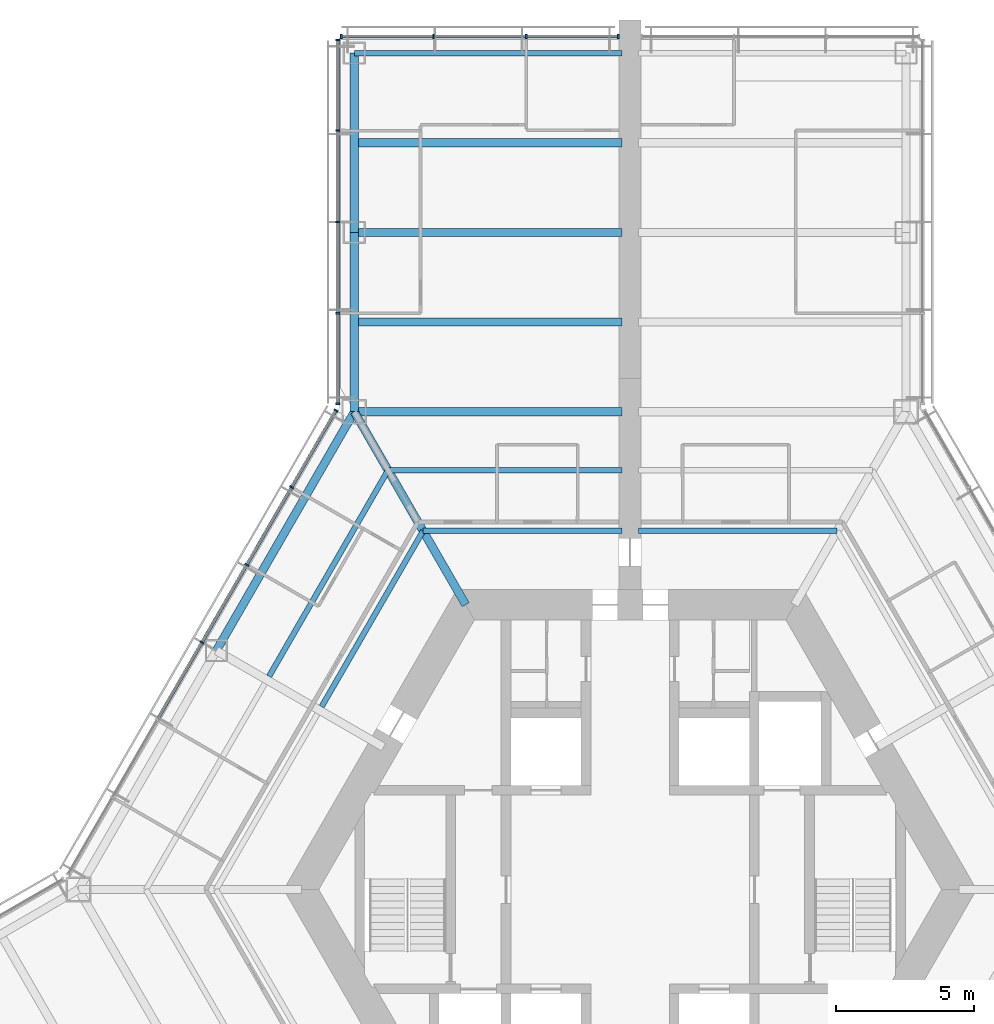
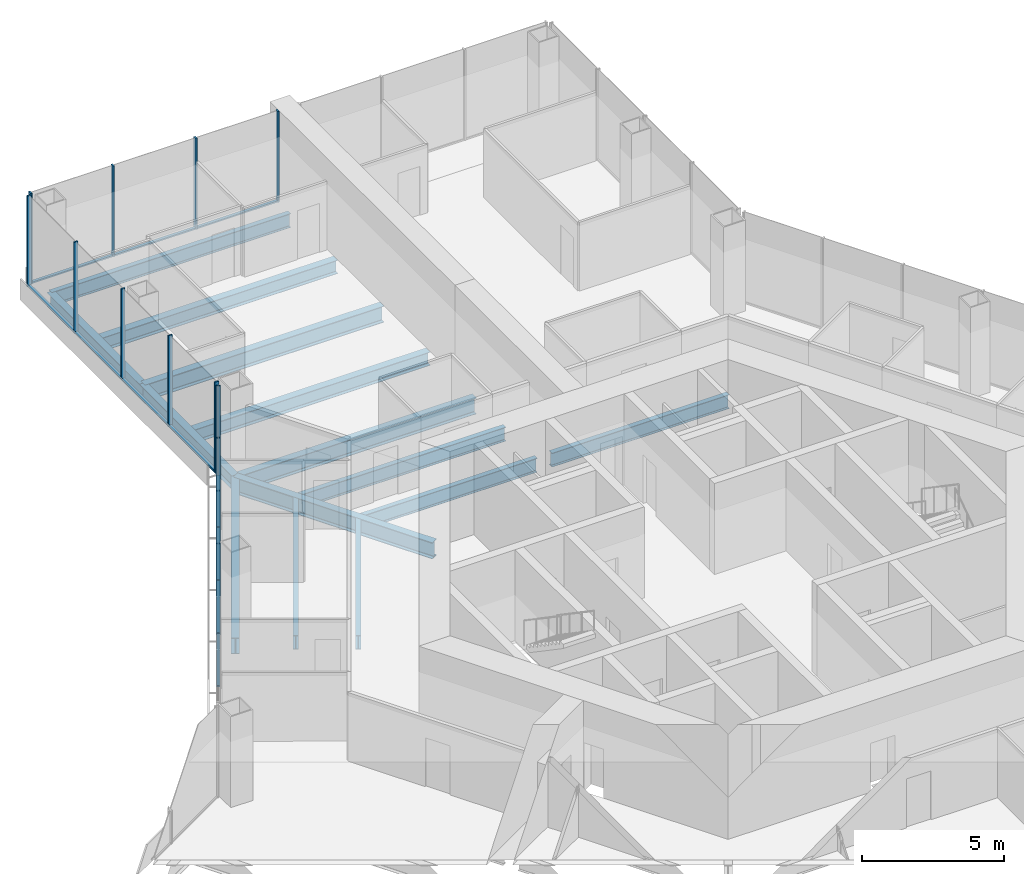
# One storey, part 7 of 19: 24 members, 14 beams, 3 elements without a shape of their own.
"""IFC4 building model written with IfcOpenShell, lengths in metres."""

import ifcopenshell
import ifcopenshell.guid

model = None  # the IFC model being written
_history = None  # IfcOwnerHistory: only IFC2X3 demands one
_inside = {}  # id of a spatial element -> (the spatial element, [elements in it])
_under = {}  # id of a project, library or spatial element -> (it, [spatial elements below it])
_declared = {}  # id of a project -> (the project, [libraries it declares])
_typed = {}  # id of a type object -> (the type object, [elements of that type])
_made_of = {}  # id of a material, layer set ... -> (it, [elements and type objects made of it])


def new_model(schema):
    """Start an empty IFC model of exactly this schema.

    Asked for "IFC4X3", IfcOpenShell would pick the latest addendum, in which some entities
    have other attributes; the version numbers below select the first issue.
    IFC2X3 requires an IfcOwnerHistory on every rooted entity: one is made here for all.
    """
    global model, _history
    if schema == "IFC4X3":
        model = ifcopenshell.file(schema_version=(4, 3, 0, 0))
    else:
        model = ifcopenshell.file(schema=schema)
    _inside.clear()
    _under.clear()
    _declared.clear()
    _typed.clear()
    _made_of.clear()
    _history = None
    if model.schema == "IFC2X3":
        org = make("IfcOrganization", Name="unknown")
        user = make(
            "IfcPersonAndOrganization",
            ThePerson=make("IfcPerson", FamilyName="unknown"),
            TheOrganization=org,
        )
        app = make(
            "IfcApplication",
            ApplicationDeveloper=org,
            Version="unknown",
            ApplicationFullName="unknown",
            ApplicationIdentifier="unknown",
        )
        _history = make(
            "IfcOwnerHistory",
            OwningUser=user,
            OwningApplication=app,
            ChangeAction="ADDED",
            CreationDate=0,
        )
    return model


def make(cls, **values):
    """One entity of the class cls with the attributes given. An attribute that is None is left unset."""
    return model.create_entity(
        cls, **{name: value for name, value in values.items() if value is not None}
    )


def rooted(cls, **values):
    """An entity with a GlobalId (a new one), such as an element, a storey or a relation."""
    return make(cls, GlobalId=ifcopenshell.guid.new(), OwnerHistory=_history, **values)


def si_unit(unit_type, name, prefix=None):
    """IfcSIUnit, for example si_unit("LENGTHUNIT", "METRE", prefix="MILLI")."""
    return make("IfcSIUnit", UnitType=unit_type, Prefix=prefix, Name=name)


def assignment(units):
    """IfcUnitAssignment: the units of a project."""
    return None if units is None else make("IfcUnitAssignment", Units=units)


def point(xyz):
    """IfcCartesianPoint."""
    return None if xyz is None else make("IfcCartesianPoint", Coordinates=xyz)


def direction(xyz):
    """IfcDirection."""
    return None if xyz is None else make("IfcDirection", DirectionRatios=xyz)


def frame(location, z_axis=None, x_axis=None):
    """IfcAxis2Placement3D, a coordinate frame: its origin and axes. An axis left out is left unset."""
    return make(
        "IfcAxis2Placement3D",
        Location=point(location),
        Axis=direction(z_axis),
        RefDirection=direction(x_axis),
    )


def frame_2d(location, x_axis=None):
    """IfcAxis2Placement2D, a coordinate frame in the plane: its origin and x axis."""
    return make(
        "IfcAxis2Placement2D", Location=point(location), RefDirection=direction(x_axis)
    )


def origin():
    """The frame at (0, 0, 0) with its axes left unset."""
    return frame((0.0, 0.0, 0.0))


def origin_2d():
    """The frame at (0, 0) in the plane with its x axis left unset."""
    return frame_2d((0.0, 0.0))


def place(relative_to, where):
    """IfcLocalPlacement: puts the frame where relative to a parent placement (None: the world)."""
    return make(
        "IfcLocalPlacement", PlacementRelTo=relative_to, RelativePlacement=where
    )


def context(
    kind, dimensions, precision=None, world=None, true_north=None, identifier=None
):
    """IfcGeometricRepresentationContext, for example the 3D "Model" context."""
    return make(
        "IfcGeometricRepresentationContext",
        ContextIdentifier=identifier,
        ContextType=kind,
        CoordinateSpaceDimension=dimensions,
        Precision=precision,
        WorldCoordinateSystem=world,
        TrueNorth=true_north,
    )


def subcontext(parent, identifier, kind, view, scale=None):
    """IfcGeometricRepresentationSubContext, for example "Body" below "Model"."""
    return make(
        "IfcGeometricRepresentationSubContext",
        ContextIdentifier=identifier,
        ContextType=kind,
        ParentContext=parent,
        TargetScale=scale,
        TargetView=view,
    )


def project(units=None, contexts=None):
    """IfcProject with its units and contexts."""
    return rooted(
        "IfcProject",
        Name="project",
        RepresentationContexts=contexts,
        UnitsInContext=assignment(units),
    )


def spatial(cls, under=None, at=None, **own):
    """A site, building, storey or space (cls), placed at a placement, below another one or the project."""
    s = rooted(cls, ObjectPlacement=at, **own)
    if under is not None:
        _under.setdefault(under.id(), (under, []))[1].append(s)
    return s


def profile(cls, at=None, kind="AREA", **sizes):
    """A parametric profile (cls). Its sizes go by their IFC names, for example OverallWidth=200.0."""
    return make(cls, ProfileType=kind, Position=at, **sizes)


def rectangle(**sizes):
    """IfcRectangleProfileDef."""
    return profile("IfcRectangleProfileDef", **sizes)


def i_section(**sizes):
    """IfcIShapeProfileDef."""
    return profile("IfcIShapeProfileDef", **sizes)


def extrude(swept, where, along, depth):
    """IfcExtrudedAreaSolid: the profile swept, set in the frame where, extruded along a direction by depth."""
    return make(
        "IfcExtrudedAreaSolid",
        SweptArea=swept,
        Position=where,
        ExtrudedDirection=direction(along),
        Depth=depth,
    )


def shape(context_of_items, identifier, shape_type, items):
    """IfcShapeRepresentation: the items that make up one representation, for example the "Body"."""
    return make(
        "IfcShapeRepresentation",
        ContextOfItems=context_of_items,
        RepresentationIdentifier=identifier,
        RepresentationType=shape_type,
        Items=items,
    )


def material(Name=None, Category=None):
    """IfcMaterial."""
    return make("IfcMaterial", Name=Name, Category=Category)


def material_profile(
    of_material, cross_section, Name=None, Category=None, Priority=None
):
    """IfcMaterialProfile: a cross section and its material."""
    return make(
        "IfcMaterialProfile",
        Name=Name,
        Material=of_material,
        Profile=cross_section,
        Priority=Priority,
        Category=Category,
    )


def profile_set(profiles, Name=None, composite=None):
    """IfcMaterialProfileSet."""
    return make(
        "IfcMaterialProfileSet",
        Name=Name,
        MaterialProfiles=profiles,
        CompositeProfile=composite,
    )


def made_of(thing, what):
    """Note that an element or type object is made of a material, layer set ...; save() writes the relation."""
    if what is not None:
        _made_of.setdefault(what.id(), (what, []))[1].append(thing)
    return thing


def type_object(cls, material=None, **own):
    """A type object (cls), such as IfcWallType, which elements share."""
    return made_of(rooted(cls, **own), material)


def element(
    cls,
    number,
    at=None,
    inside=None,
    cuts=None,
    type_object=None,
    material=None,
    context=None,
    identifier="Body",
    shape_type=None,
    held_by="IfcProductDefinitionShape",
    body=None,
    shapes=None,
    **own,
):
    """One element of the class cls, such as IfcWall. Its Tag is "e" and its number.

    at: its placement. inside: the storey or other place that contains it. cuts: it is an
    opening in that element (IfcRelVoidsElement). A single representation is given by context,
    identifier, shape_type and body (its items); several are given by shapes. held_by: the class
    of the entity that holds the representations. save() writes the other relations.
    """
    e = rooted(cls, Tag="e%d" % number, ObjectPlacement=at, **own)
    if body is not None:
        shapes = [shape(context, identifier, shape_type, body)]
    if shapes is not None:
        e.Representation = make(held_by, Representations=shapes)
    if inside is not None:
        _inside.setdefault(inside.id(), (inside, []))[1].append(e)
    if cuts is not None:
        rooted(
            "IfcRelVoidsElement", RelatingBuildingElement=cuts, RelatedOpeningElement=e
        )
    if type_object is not None:
        _typed.setdefault(type_object.id(), (type_object, []))[1].append(e)
    return made_of(e, material)


def aggregate(whole, parts):
    """IfcRelAggregates: a whole, such as a stair, and the parts it consists of."""
    return rooted("IfcRelAggregates", RelatingObject=whole, RelatedObjects=parts)


def save(model, path):
    """Write the relations noted so far, then the file.

    IfcRelAggregates (storeys below a building ...), IfcRelContainedInSpatialStructure (elements
    in a storey), IfcRelDefinesByType, IfcRelAssociatesMaterial and IfcRelDeclares: one each for
    every whole, place, type object, material and project.
    """
    for whole, parts in _under.values():
        aggregate(whole, parts)
    for where, things in _inside.values():
        rooted(
            "IfcRelContainedInSpatialStructure",
            RelatedElements=things,
            RelatingStructure=where,
        )
    for kind, things in _typed.values():
        rooted("IfcRelDefinesByType", RelatedObjects=things, RelatingType=kind)
    for what, things in _made_of.values():
        rooted("IfcRelAssociatesMaterial", RelatedObjects=things, RelatingMaterial=what)
    for by, libraries in _declared.values():
        rooted("IfcRelDeclares", RelatingContext=by, RelatedDefinitions=libraries)
    model.write(path)


model = new_model("IFC4")

# Units and contexts
model_context = context("Model", 3, precision=1e-05, world=origin(), true_north=direction((0.0, 1.0)))
body_context = subcontext(model_context, "Body", "Model", "MODEL_VIEW")
ifc_project = project(units=[si_unit("LENGTHUNIT", "METRE"), si_unit("AREAUNIT", "SQUARE_METRE"), si_unit("VOLUMEUNIT", "CUBIC_METRE"), si_unit("PLANEANGLEUNIT", "RADIAN"), si_unit("MASSUNIT", "GRAM", prefix="KILO")], contexts=[model_context])

# Site, building, storey
site_placement = place(None, origin())
site = spatial("IfcSite", under=ifc_project, at=site_placement, CompositionType="ELEMENT")
building_placement = place(site_placement, origin())
building = spatial("IfcBuilding", under=site, at=building_placement, Name="Kasaneha Research Tower", CompositionType="ELEMENT")
storey_placement = place(building_placement, frame((0.0, 0.0, 84.60009765625)))
storey = spatial("IfcBuildingStorey", under=building, at=storey_placement, Name="L21", CompositionType="ELEMENT", Elevation=84.60009765625)

# Beams
ifc_material_1 = material(Name="Steel SN490B", Category="steel")
ifc_material_profile_1 = material_profile(ifc_material_1, i_section(OverallWidth=0.199951171875, OverallDepth=0.60009765625, WebThickness=0.010986328125, FlangeThickness=0.01708984375, FilletRadius=0.012939453125, at=origin_2d()), Name="H-600x200x11x17")
ifc_profile_set_1 = profile_set([ifc_material_profile_1], Name="Steel SN490B")
beam_type_1 = type_object("IfcBeamType", Name="B1-3 secondary beam H-600x200x11x17", PredefinedType="JOIST", material=ifc_profile_set_1)
for number, where, z_axis, x_axis, name in (
    (1, (7.505615234375, 13.0, -0.4501953125), (-1.0, 0.0, 0.0), (0.0, -1.0, 0.0), "Secondary beam RS090L1 L21"),
    (2, (-7.505615234375, 13.0, -0.4501953125), (1.0, 0.0, 0.0), (0.0, 1.0, 0.0), "Secondary beam RS090R1 L21"),
):
    element("IfcBeam", number, at=place(storey_placement, frame(where, z_axis=z_axis, x_axis=x_axis)), inside=storey, type_object=beam_type_1, Name=name, PredefinedType="JOIST", context=body_context, shape_type="SweptSolid", body=[
        extrude(i_section(OverallWidth=0.199951171875, OverallDepth=0.60009765625, WebThickness=0.010986328125, FlangeThickness=0.01708984375, FilletRadius=0.012939453125, at=origin_2d()), origin(), (0.0, 0.0, 1.0), 7.20556640625),
    ])
beam_1_placement = place(storey_placement, frame((-8.775634765625, 15.199951171875, -0.4501953125), z_axis=(1.0, 0.0, 0.0), x_axis=(0.0, 1.0, 0.0)))
element("IfcBeam", 3, at=beam_1_placement, inside=storey, type_object=beam_type_1, Name="Secondary beam RS090R2 L21", PredefinedType="JOIST", context=body_context, shape_type="SweptSolid", body=[
    extrude(i_section(OverallWidth=0.199951171875, OverallDepth=0.60009765625, WebThickness=0.010986328125, FlangeThickness=0.01708984375, FilletRadius=0.012939453125, at=origin_2d()), origin(), (0.0, 0.0, 1.0), 8.4755859375),
])
beam_2_placement = place(storey_placement, frame((-7.505615234375, 13.0, -0.4501953125), z_axis=(-0.499994443168, -0.866028611999, 0.0), x_axis=(0.866028611999, -0.499994443168, 0.0)))
element("IfcBeam", 4, at=beam_2_placement, inside=storey, type_object=beam_type_1, Name="Secondary beam RS150L1 L21", PredefinedType="JOIST", context=body_context, shape_type="SweptSolid", body=[
    extrude(i_section(OverallWidth=0.199951171875, OverallDepth=0.60009765625, WebThickness=0.010986328125, FlangeThickness=0.01708984375, FilletRadius=0.012939453125, at=origin_2d()), origin(), (0.0, 0.0, 1.0), 7.35546875),
])
beam_3_placement = place(storey_placement, frame((-8.775634765625, 15.199951171875, -0.4501953125), z_axis=(-0.500017275495, -0.866015429543, 0.0), x_axis=(0.866015429543, -0.500017275495, 0.0)))
element("IfcBeam", 5, at=beam_3_placement, inside=storey, type_object=beam_type_1, Name="Secondary beam RS150L2 L21", PredefinedType="JOIST", context=body_context, shape_type="SweptSolid", body=[
    extrude(i_section(OverallWidth=0.199951171875, OverallDepth=0.60009765625, WebThickness=0.010986328125, FlangeThickness=0.01708984375, FilletRadius=0.012939453125, at=origin_2d()), origin(), (0.0, 0.0, 1.0), 8.625732421875),
])
ifc_material_2 = material(Name="Steel SN490B", Category="steel")
ifc_material_profile_2 = material_profile(ifc_material_2, i_section(OverallWidth=0.300048828125, OverallDepth=0.58203125, WebThickness=0.011962890625, FlangeThickness=0.01708984375, FilletRadius=0.012939453125, at=origin_2d()), Name="H-582x300x12x17")
ifc_profile_set_2 = profile_set([ifc_material_profile_2], Name="Steel SN490B")
beam_type_2 = type_object("IfcBeamType", Name="B2-3 secondary beam H-582x300x12x17", PredefinedType="JOIST", material=ifc_profile_set_2)
for number, where, z_axis, x_axis, name in (
    (6, (-10.0, 20.570556640625, -0.441162109375), (1.0, 0.0, 0.0), (0.0, 1.0, 0.0), "Secondary beam WBAN1 L21"),
    (7, (-10.0, 27.070556640625, -0.441162109375), (1.0, 0.0, 0.0), (0.0, 1.0, 0.0), "Secondary beam WBAN2 L21"),
):
    element("IfcBeam", number, at=place(storey_placement, frame(where, z_axis=z_axis, x_axis=x_axis)), inside=storey, type_object=beam_type_2, Name=name, PredefinedType="JOIST", context=body_context, shape_type="SweptSolid", body=[
        extrude(i_section(OverallWidth=0.300048828125, OverallDepth=0.58203125, WebThickness=0.011962890625, FlangeThickness=0.01708984375, FilletRadius=0.012939453125, at=origin_2d()), origin(), (0.0, 0.0, 1.0), 9.699951171875),
    ])

# Curtain wall, members
ifc_material_3 = material(Name="Glass and aluminium", Category="aluminium")
curtain_wall_type = type_object("IfcCurtainWallType", Name="Low-rise office curtain wall", PredefinedType="USERDEFINED", material=ifc_material_3)
curtain_wall_1_placement = place(storey_placement, origin())
curtain_wall_1 = element("IfcCurtainWall", 8, at=curtain_wall_1_placement, inside=storey, type_object=curtain_wall_type, Name="CW-O1 L21 run 10a", ObjectType="UNITISED CURTAIN WALL", PredefinedType="USERDEFINED")
ifc_material_4 = material(Name="Aluminium 6063-T6", Category="aluminium")
ifc_material_profile_3 = material_profile(ifc_material_4, rectangle(XDim=0.06005859375, YDim=0.159912109375, at=origin_2d()), Name="CW-O1 mullion 60x160")
ifc_profile_set_3 = profile_set([ifc_material_profile_3], Name="Aluminium 6063-T6")
member_type_1 = type_object("IfcMemberType", Name="CW-O1 mullion", PredefinedType="MULLION", material=ifc_profile_set_3)
member_1_placement = place(storey_placement, frame((-0.429931640625, 30.92041015625, 0.0), z_axis=(0.0, 0.0, 1.0), x_axis=(-1.0, 0.0, 0.0)))
member_1 = element("IfcMember", 9, at=member_1_placement, type_object=member_type_1, Name="CW-O1 mullion 1", PredefinedType="MULLION", context=body_context, shape_type="SweptSolid", body=[
    extrude(rectangle(XDim=0.06005859375, YDim=0.159912109375, at=origin_2d()), origin(), (0.0, 0.0, 1.0), 3.89990234375),
])
member_2_placement = place(storey_placement, frame((-3.7666015625, 30.92041015625, 0.0), z_axis=(0.0, 0.0, 1.0), x_axis=(-1.0, 0.0, 0.0)))
member_2 = element("IfcMember", 10, at=member_2_placement, type_object=member_type_1, Name="CW-O1 mullion 2", PredefinedType="MULLION", context=body_context, shape_type="SweptSolid", body=[
    extrude(rectangle(XDim=0.06005859375, YDim=0.159912109375, at=origin_2d()), origin(), (0.0, 0.0, 1.0), 3.89990234375),
])
member_3_placement = place(storey_placement, frame((-7.13330078125, 30.92041015625, 0.0), z_axis=(0.0, 0.0, 1.0), x_axis=(-1.0, 0.0, 0.0)))
member_3 = element("IfcMember", 11, at=member_3_placement, type_object=member_type_1, Name="CW-O1 mullion 3", PredefinedType="MULLION", context=body_context, shape_type="SweptSolid", body=[
    extrude(rectangle(XDim=0.06005859375, YDim=0.159912109375, at=origin_2d()), origin(), (0.0, 0.0, 1.0), 3.89990234375),
])
member_4_placement = place(storey_placement, frame((-10.469970703125, 30.92041015625, 0.0), z_axis=(0.0, 0.0, 1.0), x_axis=(-1.0, 0.0, 0.0)))
member_4 = element("IfcMember", 12, at=member_4_placement, type_object=member_type_1, Name="CW-O1 mullion 4", PredefinedType="MULLION", context=body_context, shape_type="SweptSolid", body=[
    extrude(rectangle(XDim=0.06005859375, YDim=0.159912109375, at=origin_2d()), origin(), (0.0, 0.0, 1.0), 3.89990234375),
])

curtain_wall_2_placement = place(storey_placement, origin())
curtain_wall_2 = element("IfcCurtainWall", 13, at=curtain_wall_2_placement, inside=storey, type_object=curtain_wall_type, Name="CW-O1 L21 run 11a", ObjectType="UNITISED CURTAIN WALL", PredefinedType="USERDEFINED")
member_5_placement = place(storey_placement, frame((-10.60009765625, 30.79052734375, 0.0), z_axis=(0.0, 0.0, 1.0), x_axis=(0.0, -1.0, 0.0)))
member_5 = element("IfcMember", 14, at=member_5_placement, type_object=member_type_1, Name="CW-O1 mullion 1", PredefinedType="MULLION", context=body_context, shape_type="SweptSolid", body=[
    extrude(rectangle(XDim=0.06005859375, YDim=0.159912109375, at=origin_2d()), origin(), (0.0, 0.0, 1.0), 3.89990234375),
])
member_6_placement = place(storey_placement, frame((-10.60009765625, 27.5107421875, 0.0), z_axis=(0.0, 0.0, 1.0), x_axis=(0.0, -1.0, 0.0)))
member_6 = element("IfcMember", 15, at=member_6_placement, type_object=member_type_1, Name="CW-O1 mullion 2", PredefinedType="MULLION", context=body_context, shape_type="SweptSolid", body=[
    extrude(rectangle(XDim=0.06005859375, YDim=0.159912109375, at=origin_2d()), origin(), (0.0, 0.0, 1.0), 3.89990234375),
])
member_7_placement = place(storey_placement, frame((-10.60009765625, 24.200927734375, 0.0), z_axis=(0.0, 0.0, 1.0), x_axis=(0.0, -1.0, 0.0)))
member_7 = element("IfcMember", 16, at=member_7_placement, type_object=member_type_1, Name="CW-O1 mullion 3", PredefinedType="MULLION", context=body_context, shape_type="SweptSolid", body=[
    extrude(rectangle(XDim=0.06005859375, YDim=0.159912109375, at=origin_2d()), origin(), (0.0, 0.0, 1.0), 3.89990234375),
])
member_8_placement = place(storey_placement, frame((-10.60009765625, 20.89111328125, 0.0), z_axis=(0.0, 0.0, 1.0), x_axis=(0.0, -1.0, 0.0)))
member_8 = element("IfcMember", 17, at=member_8_placement, type_object=member_type_1, Name="CW-O1 mullion 4", PredefinedType="MULLION", context=body_context, shape_type="SweptSolid", body=[
    extrude(rectangle(XDim=0.06005859375, YDim=0.159912109375, at=origin_2d()), origin(), (0.0, 0.0, 1.0), 3.89990234375),
])
member_9_placement = place(storey_placement, frame((-10.60009765625, 17.611328125, 0.0), z_axis=(0.0, 0.0, 1.0), x_axis=(0.0, -1.0, 0.0)))
member_9 = element("IfcMember", 18, at=member_9_placement, type_object=member_type_1, Name="CW-O1 mullion 5", PredefinedType="MULLION", context=body_context, shape_type="SweptSolid", body=[
    extrude(rectangle(XDim=0.06005859375, YDim=0.159912109375, at=origin_2d()), origin(), (0.0, 0.0, 1.0), 3.89990234375),
])

curtain_wall_3_placement = place(storey_placement, origin())
curtain_wall_3 = element("IfcCurtainWall", 19, at=curtain_wall_3_placement, inside=storey, type_object=curtain_wall_type, Name="CW-O1 L21 run 12a", ObjectType="UNITISED CURTAIN WALL", PredefinedType="USERDEFINED")
member_10_placement = place(storey_placement, frame((-10.6650390625, 17.36865234375, 0.0), z_axis=(0.0, 0.0, 1.0), x_axis=(-0.49999996188, -0.866025425793, 0.0)))
member_10 = element("IfcMember", 20, at=member_10_placement, type_object=member_type_1, Name="CW-O1 mullion 1", PredefinedType="MULLION", context=body_context, shape_type="SweptSolid", body=[
    extrude(rectangle(XDim=0.06005859375, YDim=0.159912109375, at=origin_2d()), origin(), (0.0, 0.0, 1.0), 3.89990234375),
])
member_11_placement = place(storey_placement, frame((-12.273193359375, 14.583251953125, 0.0), z_axis=(0.0, 0.0, 1.0), x_axis=(-0.49999996188, -0.866025425793, 0.0)))
member_11 = element("IfcMember", 21, at=member_11_placement, type_object=member_type_1, Name="CW-O1 mullion 2", PredefinedType="MULLION", context=body_context, shape_type="SweptSolid", body=[
    extrude(rectangle(XDim=0.06005859375, YDim=0.159912109375, at=origin_2d()), origin(), (0.0, 0.0, 1.0), 3.89990234375),
])
member_12_placement = place(storey_placement, frame((-13.896484375, 11.771728515625, 0.0), z_axis=(0.0, 0.0, 1.0), x_axis=(-0.49999996188, -0.866025425793, 0.0)))
member_12 = element("IfcMember", 22, at=member_12_placement, type_object=member_type_1, Name="CW-O1 mullion 3", PredefinedType="MULLION", context=body_context, shape_type="SweptSolid", body=[
    extrude(rectangle(XDim=0.06005859375, YDim=0.159912109375, at=origin_2d()), origin(), (0.0, 0.0, 1.0), 3.89990234375),
])
member_13_placement = place(storey_placement, frame((-15.51953125, 8.960205078125, 0.0), z_axis=(0.0, 0.0, 1.0), x_axis=(-0.49999996188, -0.866025425793, 0.0)))
member_13 = element("IfcMember", 23, at=member_13_placement, type_object=member_type_1, Name="CW-O1 mullion 4", PredefinedType="MULLION", context=body_context, shape_type="SweptSolid", body=[
    extrude(rectangle(XDim=0.06005859375, YDim=0.159912109375, at=origin_2d()), origin(), (0.0, 0.0, 1.0), 3.89990234375),
])

# Member
ifc_material_5 = material(Name="Aluminium 6063-T6", Category="aluminium")
ifc_material_profile_4 = material_profile(ifc_material_5, rectangle(XDim=0.1201171875, YDim=0.06005859375, at=origin_2d()), Name="CW-O1 transom 120x60")
ifc_profile_set_4 = profile_set([ifc_material_profile_4], Name="Aluminium 6063-T6")
member_type_2 = type_object("IfcMemberType", Name="CW-O1 transom", PredefinedType="USERDEFINED", material=ifc_profile_set_4)
member_14_placement = place(storey_placement, frame((-0.4599609375, 30.92041015625, 0.02978515625), z_axis=(-1.0, 0.0, 0.0), x_axis=(0.0, -1.0, 0.0)))
member_14 = element("IfcMember", 24, at=member_14_placement, type_object=member_type_2, Name="CW-O1 transom 1", ObjectType="TRANSOM", PredefinedType="USERDEFINED", context=body_context, shape_type="SweptSolid", body=[
    extrude(rectangle(XDim=0.1201171875, YDim=0.06005859375, at=origin_2d()), origin(), (0.0, 0.0, 1.0), 3.276611328125),
])

member_15_placement = place(storey_placement, frame((-3.796630859375, 30.92041015625, 0.02978515625), z_axis=(-1.0, 0.0, 0.0), x_axis=(0.0, -1.0, 0.0)))
member_15 = element("IfcMember", 25, at=member_15_placement, type_object=member_type_2, Name="CW-O1 transom 2", ObjectType="TRANSOM", PredefinedType="USERDEFINED", context=body_context, shape_type="SweptSolid", body=[
    extrude(rectangle(XDim=0.1201171875, YDim=0.06005859375, at=origin_2d()), origin(), (0.0, 0.0, 1.0), 3.306640625),
])

member_16_placement = place(storey_placement, frame((-7.163330078125, 30.92041015625, 0.02978515625), z_axis=(-1.0, 0.0, 0.0), x_axis=(0.0, -1.0, 0.0)))
member_16 = element("IfcMember", 26, at=member_16_placement, type_object=member_type_2, Name="CW-O1 transom 3", ObjectType="TRANSOM", PredefinedType="USERDEFINED", context=body_context, shape_type="SweptSolid", body=[
    extrude(rectangle(XDim=0.1201171875, YDim=0.06005859375, at=origin_2d()), origin(), (0.0, 0.0, 1.0), 3.276611328125),
])

aggregate(curtain_wall_1, [member_1, member_2, member_3, member_4, member_14, member_15, member_16])

member_17_placement = place(storey_placement, frame((-10.60009765625, 30.760498046875, 0.02978515625), z_axis=(0.0, -1.0, 0.0), x_axis=(1.0, 0.0, 0.0)))
member_17 = element("IfcMember", 27, at=member_17_placement, type_object=member_type_2, Name="CW-O1 transom 1", ObjectType="TRANSOM", PredefinedType="USERDEFINED", context=body_context, shape_type="SweptSolid", body=[
    extrude(rectangle(XDim=0.1201171875, YDim=0.06005859375, at=origin_2d()), origin(), (0.0, 0.0, 1.0), 3.2197265625),
])

member_18_placement = place(storey_placement, frame((-10.60009765625, 27.480712890625, 0.02978515625), z_axis=(0.0, -1.0, 0.0), x_axis=(1.0, 0.0, 0.0)))
member_18 = element("IfcMember", 28, at=member_18_placement, type_object=member_type_2, Name="CW-O1 transom 2", ObjectType="TRANSOM", PredefinedType="USERDEFINED", context=body_context, shape_type="SweptSolid", body=[
    extrude(rectangle(XDim=0.1201171875, YDim=0.06005859375, at=origin_2d()), origin(), (0.0, 0.0, 1.0), 3.249755859375),
])

member_19_placement = place(storey_placement, frame((-10.60009765625, 24.1708984375, 0.02978515625), z_axis=(0.0, -1.0, 0.0), x_axis=(1.0, 0.0, 0.0)))
member_19 = element("IfcMember", 29, at=member_19_placement, type_object=member_type_2, Name="CW-O1 transom 3", ObjectType="TRANSOM", PredefinedType="USERDEFINED", context=body_context, shape_type="SweptSolid", body=[
    extrude(rectangle(XDim=0.1201171875, YDim=0.06005859375, at=origin_2d()), origin(), (0.0, 0.0, 1.0), 3.249755859375),
])

member_20_placement = place(storey_placement, frame((-10.60009765625, 20.861083984375, 0.02978515625), z_axis=(0.0, -1.0, 0.0), x_axis=(1.0, 0.0, 0.0)))
member_20 = element("IfcMember", 30, at=member_20_placement, type_object=member_type_2, Name="CW-O1 transom 4", ObjectType="TRANSOM", PredefinedType="USERDEFINED", context=body_context, shape_type="SweptSolid", body=[
    extrude(rectangle(XDim=0.1201171875, YDim=0.06005859375, at=origin_2d()), origin(), (0.0, 0.0, 1.0), 3.2197265625),
])

aggregate(curtain_wall_2, [member_5, member_6, member_7, member_8, member_9, member_17, member_18, member_19, member_20])

member_21_placement = place(storey_placement, frame((-10.679931640625, 17.3427734375, 0.02978515625), z_axis=(-0.500023726918, -0.866011704609, 0.0), x_axis=(0.866011704609, -0.500023726918, 0.0)))
member_21 = element("IfcMember", 31, at=member_21_placement, type_object=member_type_2, Name="CW-O1 transom 1", ObjectType="TRANSOM", PredefinedType="USERDEFINED", context=body_context, shape_type="SweptSolid", body=[
    extrude(rectangle(XDim=0.1201171875, YDim=0.06005859375, at=origin_2d()), origin(), (0.0, 0.0, 1.0), 3.156494140625),
])

member_22_placement = place(storey_placement, frame((-12.2880859375, 14.55712890625, 0.02978515625), z_axis=(-0.500012062035, -0.866018439653, 0.0), x_axis=(0.866018439653, -0.500012062035, 0.0)))
member_22 = element("IfcMember", 32, at=member_22_placement, type_object=member_type_2, Name="CW-O1 transom 2", ObjectType="TRANSOM", PredefinedType="USERDEFINED", context=body_context, shape_type="SweptSolid", body=[
    extrude(rectangle(XDim=0.1201171875, YDim=0.06005859375, at=origin_2d()), origin(), (0.0, 0.0, 1.0), 3.1865234375),
])

member_23_placement = place(storey_placement, frame((-13.911376953125, 11.745849609375, 0.02978515625), z_axis=(-0.500012062035, -0.866018439653, 0.0), x_axis=(0.866018439653, -0.500012062035, 0.0)))
member_23 = element("IfcMember", 33, at=member_23_placement, type_object=member_type_2, Name="CW-O1 transom 3", ObjectType="TRANSOM", PredefinedType="USERDEFINED", context=body_context, shape_type="SweptSolid", body=[
    extrude(rectangle(XDim=0.1201171875, YDim=0.06005859375, at=origin_2d()), origin(), (0.0, 0.0, 1.0), 3.1865234375),
])

member_24_placement = place(storey_placement, frame((-15.53466796875, 8.934326171875, 0.02978515625), z_axis=(-0.500012062035, -0.866018439653, 0.0), x_axis=(0.866018439653, -0.500012062035, 0.0)))
member_24 = element("IfcMember", 34, at=member_24_placement, type_object=member_type_2, Name="CW-O1 transom 4", ObjectType="TRANSOM", PredefinedType="USERDEFINED", context=body_context, shape_type="SweptSolid", body=[
    extrude(rectangle(XDim=0.1201171875, YDim=0.06005859375, at=origin_2d()), origin(), (0.0, 0.0, 1.0), 3.1865234375),
])

aggregate(curtain_wall_3, [member_10, member_11, member_12, member_13, member_21, member_22, member_23, member_24])

# Beams
ifc_material_6 = material(Name="Steel SN490B", Category="steel")
ifc_material_profile_5 = material_profile(ifc_material_6, i_section(OverallWidth=0.300048828125, OverallDepth=0.699951171875, WebThickness=0.012939453125, FlangeThickness=0.02392578125, FilletRadius=0.01806640625, at=origin_2d()), Name="H-700x300x13x24")
ifc_profile_set_5 = profile_set([ifc_material_profile_5], Name="Steel SN490B")
beam_type_3 = type_object("IfcBeamType", Name="G1-3 radial girder H-700x300x13x24", PredefinedType="BEAM", material=ifc_profile_set_5)
beam_4_placement = place(storey_placement, frame((-5.961181640625, 10.324951171875, -0.5), z_axis=(-0.49999105496, 0.866030568144, 0.0), x_axis=(-0.866030568144, -0.49999105496, 0.0)))
element("IfcBeam", 35, at=beam_4_placement, inside=storey, type_object=beam_type_3, Name="Radial girder RV120 L21", PredefinedType="BEAM", context=body_context, shape_type="SweptSolid", body=[
    extrude(i_section(OverallWidth=0.300048828125, OverallDepth=0.699951171875, WebThickness=0.012939453125, FlangeThickness=0.02392578125, FilletRadius=0.01806640625, at=origin_2d()), origin(), (0.0, 0.0, 1.0), 8.077880859375),
])
ifc_material_7 = material(Name="Steel SN490B", Category="steel")
ifc_material_profile_6 = material_profile(ifc_material_7, i_section(OverallWidth=0.300048828125, OverallDepth=0.69189453125, WebThickness=0.012939453125, FlangeThickness=0.02001953125, FilletRadius=0.01806640625, at=origin_2d()), Name="H-692x300x13x20")
ifc_profile_set_6 = profile_set([ifc_material_profile_6], Name="Steel SN490B")
beam_type_4 = type_object("IfcBeamType", Name="G3-3 plate edge girder H-692x300x13x20", PredefinedType="BEAM", material=ifc_profile_set_6)
beam_5_placement = place(storey_placement, frame((-10.0, 17.320556640625, -0.49609375), z_axis=(1.0, 0.0, 0.0), x_axis=(0.0, 1.0, 0.0)))
element("IfcBeam", 36, at=beam_5_placement, inside=storey, type_object=beam_type_4, Name="Plate edge girder PEAN L21", PredefinedType="BEAM", context=body_context, shape_type="SweptSolid", body=[
    extrude(i_section(OverallWidth=0.300048828125, OverallDepth=0.69189453125, WebThickness=0.012939453125, FlangeThickness=0.02001953125, FilletRadius=0.01806640625, at=origin_2d()), origin(), (0.0, 0.0, 1.0), 9.699951171875),
])
ifc_material_8 = material(Name="Steel SN490B", Category="steel")
ifc_material_profile_7 = material_profile(ifc_material_8, i_section(OverallWidth=0.300048828125, OverallDepth=0.699951171875, WebThickness=0.012939453125, FlangeThickness=0.02392578125, FilletRadius=0.01806640625, at=origin_2d()), Name="H-700x300x13x24")
ifc_profile_set_7 = profile_set([ifc_material_profile_7], Name="Steel SN490B")
beam_type_5 = type_object("IfcBeamType", Name="G4-3 wing girder H-700x300x13x24", PredefinedType="BEAM", material=ifc_profile_set_7)
beam_6_placement = place(storey_placement, frame((-10.0, 23.820556640625, -0.5), z_axis=(1.0, 0.0, 0.0), x_axis=(0.0, 1.0, 0.0)))
element("IfcBeam", 37, at=beam_6_placement, inside=storey, type_object=beam_type_5, Name="Wing girder WGAN L21", PredefinedType="BEAM", context=body_context, shape_type="SweptSolid", body=[
    extrude(i_section(OverallWidth=0.300048828125, OverallDepth=0.699951171875, WebThickness=0.012939453125, FlangeThickness=0.02392578125, FilletRadius=0.01806640625, at=origin_2d()), origin(), (0.0, 0.0, 1.0), 9.699951171875),
])
ifc_material_9 = material(Name="Steel SN490B", Category="steel")
ifc_material_profile_8 = material_profile(ifc_material_9, i_section(OverallWidth=0.300048828125, OverallDepth=0.69189453125, WebThickness=0.012939453125, FlangeThickness=0.02001953125, FilletRadius=0.01806640625, at=origin_2d()), Name="H-692x300x13x20")
ifc_profile_set_8 = profile_set([ifc_material_profile_8], Name="Steel SN490B")
beam_type_6 = type_object("IfcBeamType", Name="SB1-3 spandrel beam H-692x300x13x20", PredefinedType="SPANDREL", material=ifc_profile_set_8)
beam_7_placement = place(storey_placement, frame((-10.0, 17.320556640625, -0.49609375), z_axis=(-0.499993662806, -0.866029062534, 0.0), x_axis=(0.866029062534, -0.499993662806, 0.0)))
element("IfcBeam", 38, at=beam_7_placement, inside=storey, type_object=beam_type_6, Name="Spandrel beam SR150L L21", PredefinedType="SPANDREL", context=body_context, shape_type="SweptSolid", body=[
    extrude(i_section(OverallWidth=0.300048828125, OverallDepth=0.69189453125, WebThickness=0.012939453125, FlangeThickness=0.02001953125, FilletRadius=0.01806640625, at=origin_2d()), origin(), (0.0, 0.0, 1.0), 10.000244140625),
])
ifc_material_10 = material(Name="Steel SN490B", Category="steel")
ifc_material_profile_9 = material_profile(ifc_material_10, i_section(OverallWidth=0.300048828125, OverallDepth=0.58203125, WebThickness=0.011962890625, FlangeThickness=0.01708984375, FilletRadius=0.012939453125, at=origin_2d()), Name="H-582x300x12x17")
ifc_profile_set_9 = profile_set([ifc_material_profile_9], Name="Steel SN490B")
beam_type_7 = type_object("IfcBeamType", Name="SB2-3 spandrel beam H-582x300x12x17", PredefinedType="SPANDREL", material=ifc_profile_set_9)
for number, where, z_axis, x_axis, name in (
    (39, (-10.0, 17.320556640625, -0.441162109375), (0.0, 1.0, 0.0), (-1.0, 0.0, 0.0), "Spandrel beam WSAN1 L21"),
    (40, (-10.0, 23.820556640625, -0.441162109375), (0.0, 1.0, 0.0), (-1.0, 0.0, 0.0), "Spandrel beam WSAN2 L21"),
):
    element("IfcBeam", number, at=place(storey_placement, frame(where, z_axis=z_axis, x_axis=x_axis)), inside=storey, type_object=beam_type_7, Name=name, PredefinedType="SPANDREL", context=body_context, shape_type="SweptSolid", body=[
        extrude(i_section(OverallWidth=0.300048828125, OverallDepth=0.58203125, WebThickness=0.011962890625, FlangeThickness=0.01708984375, FilletRadius=0.012939453125, at=origin_2d()), origin(), (0.0, 0.0, 1.0), 6.5),
    ])
ifc_material_11 = material(Name="Steel SN490B", Category="steel")
ifc_material_profile_10 = material_profile(ifc_material_11, i_section(OverallWidth=0.199951171875, OverallDepth=0.60009765625, WebThickness=0.010986328125, FlangeThickness=0.01708984375, FilletRadius=0.012939453125, at=origin_2d()), Name="H-600x200x11x17")
ifc_profile_set_10 = profile_set([ifc_material_profile_10], Name="Steel SN490B")
beam_type_8 = type_object("IfcBeamType", Name="SB3-3 spandrel beam H-600x200x11x17", PredefinedType="SPANDREL", material=ifc_profile_set_10)
beam_8_placement = place(storey_placement, frame((-10.0, 30.320556640625, -0.4501953125), z_axis=(1.0, 0.0, 0.0), x_axis=(0.0, 1.0, 0.0)))
element("IfcBeam", 41, at=beam_8_placement, inside=storey, type_object=beam_type_8, Name="Spandrel beam WTAN L21", PredefinedType="SPANDREL", context=body_context, shape_type="SweptSolid", body=[
    extrude(i_section(OverallWidth=0.199951171875, OverallDepth=0.60009765625, WebThickness=0.010986328125, FlangeThickness=0.01708984375, FilletRadius=0.012939453125, at=origin_2d()), origin(), (0.0, 0.0, 1.0), 9.699951171875),
])

save(model, "model.ifc")
